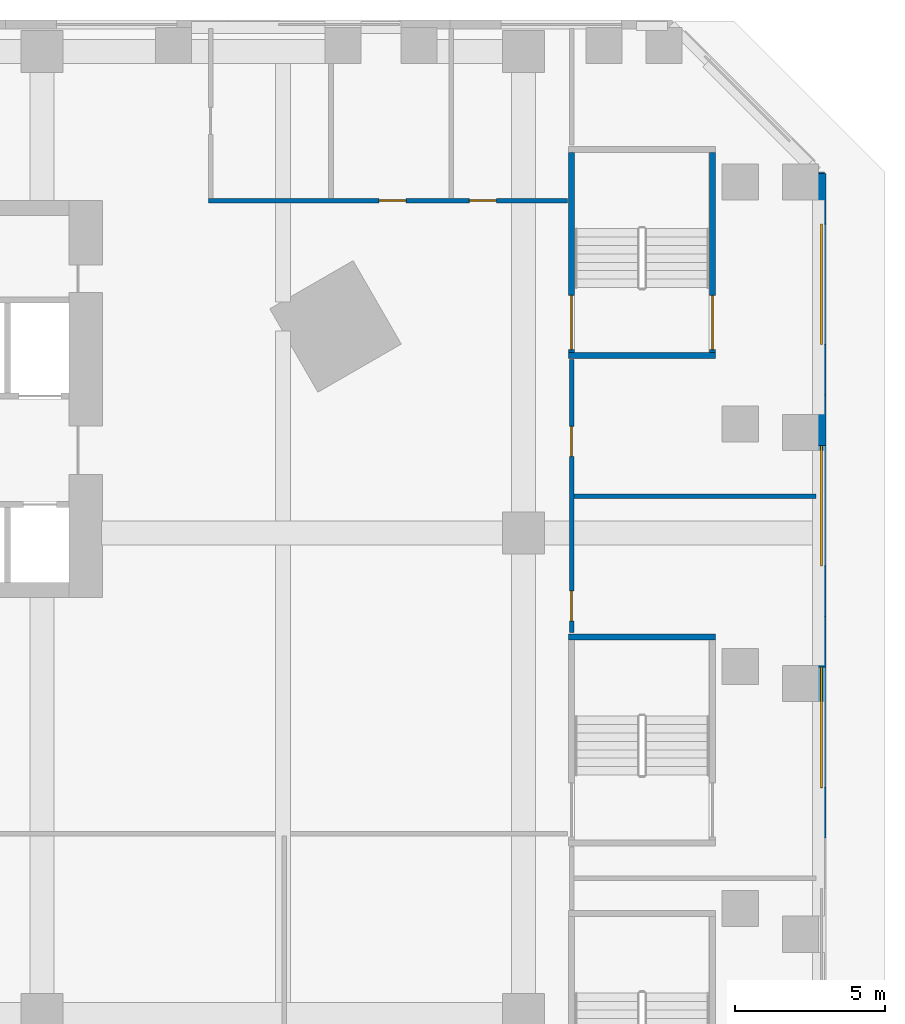
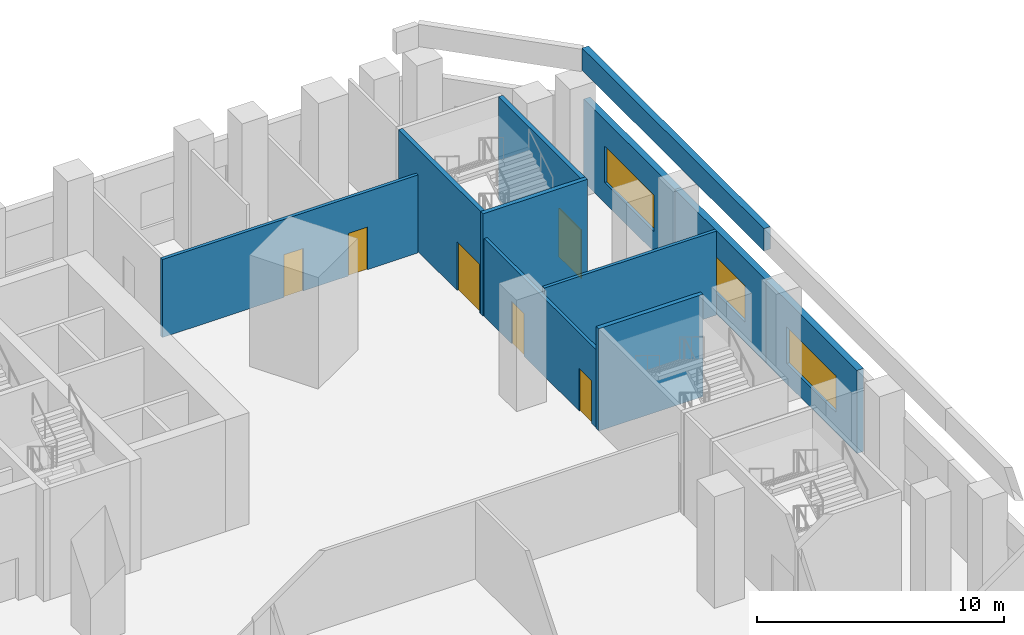
# One storey, part 10 of 22: 11 walls, 6 doors, 3 windows, 9 openings.
"""IFC4 building model written with IfcOpenShell, lengths in metres."""

from ifc_helpers import new_model, si_unit, direction, frame, frame_2d, origin, place, context, subcontext, project, spatial, rectangle, extrude, material, layer, layer_set, type_object, element, fill, save


model = new_model("IFC4")

# Units and contexts
model_context = context("Model", 3, precision=1e-05, world=origin(), true_north=direction((0.0, 1.0)))
body_context = subcontext(model_context, "Body", "Model", "MODEL_VIEW")
ifc_project = project(units=[si_unit("LENGTHUNIT", "METRE"), si_unit("AREAUNIT", "SQUARE_METRE"), si_unit("VOLUMEUNIT", "CUBIC_METRE"), si_unit("PLANEANGLEUNIT", "RADIAN"), si_unit("MASSUNIT", "GRAM", prefix="KILO")], contexts=[model_context])

# Site, building, storey
site_placement = place(None, origin())
site = spatial("IfcSite", under=ifc_project, at=site_placement, CompositionType="ELEMENT")
building_placement = place(site_placement, origin())
building = spatial("IfcBuilding", under=site, at=building_placement, Name="Calabash Gate Tower", CompositionType="ELEMENT")
storey_placement = place(building_placement, frame((0.0, 0.0, 34.5)))
storey = spatial("IfcBuildingStorey", under=building, at=storey_placement, Name="L04", CompositionType="ELEMENT", Elevation=34.5)

# Wall, openings, doors
ifc_material_1 = material(Name="Gypsum board on steel studs, mineral wool", Category="steel")
ifc_layer_1 = layer(ifc_material_1, 0.14990234375)
ifc_layer_set_1 = layer_set([ifc_layer_1], Name="Partition 150 gypsum board")
wall_type_1 = type_object("IfcWallType", Name="Partition 150 gypsum board", PredefinedType="PARTITIONING", material=ifc_layer_set_1)
wall_1_placement = place(storey_placement, frame((33.60009765625, 4.68994140625, 0.0), z_axis=(0.0, 0.0, 1.0), x_axis=(0.0, 1.0, 0.0)))
wall_1 = element("IfcWall", 1, at=wall_1_placement, inside=storey, type_object=wall_type_1, Name="Partition", PredefinedType="PARTITIONING", context=body_context, shape_type="SweptSolid", body=[
    extrude(rectangle(XDim=9.070068359375, YDim=0.14990234375, at=frame_2d((4.53515625, 0.0))), origin(), (0.0, 0.0, 1.0), 3.85009765625),
])
opening_1_placement = place(wall_1_placement, frame((0.385009765625, 0.0, 0.0)))
opening_1 = element("IfcOpeningElement", 2, at=opening_1_placement, cuts=wall_1, Name="Opening L04-066", PredefinedType="OPENING", context=body_context, shape_type="SweptSolid", body=[
    extrude(rectangle(XDim=1.0, YDim=2.10009765625, at=frame_2d((0.5, 1.050048828125))), frame((0.0, 0.0849609375, 0.0), z_axis=(0.0, -1.0, 0.0), x_axis=(1.0, 0.0, 0.0)), (0.0, 0.0, 1.0), 0.169921875),
])
opening_2_placement = place(wall_1_placement, frame((5.85888671875, 0.0, 0.0)))
opening_2 = element("IfcOpeningElement", 3, at=opening_2_placement, cuts=wall_1, Name="Opening L04-067", PredefinedType="OPENING", context=body_context, shape_type="SweptSolid", body=[
    extrude(rectangle(XDim=1.0, YDim=2.10009765625, at=frame_2d((0.5, 1.050048828125))), frame((0.0, 0.0849609375, 0.0), z_axis=(0.0, -1.0, 0.0), x_axis=(1.0, 0.0, 0.0)), (0.0, 0.0, 1.0), 0.169921875),
])
ifc_material_2 = material(Name="Steel fire door set with fire-resisting glazing", Category="steel")
door_type_1 = type_object("IfcDoorType", Name="Fire door D11 1000x2100 FD60", OperationType="NOTDEFINED", PredefinedType="DOOR", material=ifc_material_2)
door_1_placement = place(opening_1_placement, origin())
door_1 = element("IfcDoor", 4, at=door_1_placement, inside=storey, type_object=door_type_1, Name="Secretarial Office door", OperationType="SINGLE_SWING_LEFT", OverallHeight=2.10009765625, OverallWidth=1.0, PredefinedType="DOOR", context=body_context, shape_type="SweptSolid", body=[
    extrude(rectangle(XDim=1.0, YDim=2.10009765625, at=frame_2d((0.5, 1.050048828125))), frame((0.0, 0.02490234375, 0.0), z_axis=(0.0, -1.0, 0.0), x_axis=(1.0, 0.0, 0.0)), (0.0, 0.0, 1.0), 0.050048828125),
])
fill(opening_1, door_1)
door_2_placement = place(opening_2_placement, origin())
door_2 = element("IfcDoor", 5, at=door_2_placement, inside=storey, type_object=door_type_1, Name="Meeting Room 447 door", OperationType="SINGLE_SWING_RIGHT", OverallHeight=2.10009765625, OverallWidth=1.0, PredefinedType="DOOR", context=body_context, shape_type="SweptSolid", body=[
    extrude(rectangle(XDim=1.0, YDim=2.10009765625, at=frame_2d((0.5, 1.050048828125))), frame((0.0, 0.02490234375, 0.0), z_axis=(0.0, -1.0, 0.0), x_axis=(1.0, 0.0, 0.0)), (0.0, 0.0, 1.0), 0.050048828125),
])
fill(opening_2, door_2)

# Wall
wall_2_placement = place(storey_placement, frame((33.675048828125, 9.22509765625, 0.0), z_axis=(0.0, 0.0, 1.0), x_axis=(1.0, 0.0, 0.0)))
element("IfcWall", 6, at=wall_2_placement, inside=storey, type_object=wall_type_1, Name="Partition", PredefinedType="PARTITIONING", context=body_context, shape_type="SweptSolid", body=[
    extrude(rectangle(XDim=8.044921875, YDim=0.14990234375, at=frame_2d((4.0224609375, 0.0))), origin(), (0.0, 0.0, 1.0), 4.14990234375),
])

# Wall, openings, doors
wall_3_placement = place(storey_placement, frame((21.52490234375, 19.050048828125, 0.0), z_axis=(0.0, 0.0, 1.0), x_axis=(1.0, 0.0, 0.0)))
wall_3 = element("IfcWall", 7, at=wall_3_placement, inside=storey, type_object=wall_type_1, Name="Partition", PredefinedType="PARTITIONING", context=body_context, shape_type="SweptSolid", body=[
    extrude(rectangle(XDim=11.93505859375, YDim=0.14990234375, at=frame_2d((5.967529296875, 0.0))), origin(), (0.0, 0.0, 1.0), 3.85009765625),
])
opening_3_placement = place(wall_3_placement, frame((5.675048828125, 0.0, 0.0)))
opening_3 = element("IfcOpeningElement", 8, at=opening_3_placement, cuts=wall_3, Name="Opening L04-044", PredefinedType="OPENING", context=body_context, shape_type="SweptSolid", body=[
    extrude(rectangle(XDim=0.89990234375, YDim=2.10009765625, at=frame_2d((0.449951171875, 1.050048828125))), frame((0.0, 0.0849609375, 0.0), z_axis=(0.0, -1.0, 0.0), x_axis=(1.0, 0.0, 0.0)), (0.0, 0.0, 1.0), 0.169921875),
])
opening_4_placement = place(wall_3_placement, frame((8.675048828125, 0.0, 0.0)))
opening_4 = element("IfcOpeningElement", 9, at=opening_4_placement, cuts=wall_3, Name="Opening L04-045", PredefinedType="OPENING", context=body_context, shape_type="SweptSolid", body=[
    extrude(rectangle(XDim=0.89990234375, YDim=2.10009765625, at=frame_2d((0.449951171875, 1.050048828125))), frame((0.0, 0.0849609375, 0.0), z_axis=(0.0, -1.0, 0.0), x_axis=(1.0, 0.0, 0.0)), (0.0, 0.0, 1.0), 0.169921875),
])
ifc_material_3 = material(Name="Steel fire door set with fire-resisting glazing", Category="steel")
door_type_2 = type_object("IfcDoorType", Name="Fire door D13 900x2100 FD30", OperationType="NOTDEFINED", PredefinedType="DOOR", material=ifc_material_3)
door_3_placement = place(opening_3_placement, origin())
door_3 = element("IfcDoor", 10, at=door_3_placement, inside=storey, type_object=door_type_2, Name="Women's WC door", OperationType="SINGLE_SWING_RIGHT", OverallHeight=2.10009765625, OverallWidth=0.89990234375, PredefinedType="DOOR", context=body_context, shape_type="SweptSolid", body=[
    extrude(rectangle(XDim=0.89990234375, YDim=2.10009765625, at=frame_2d((0.449951171875, 1.050048828125))), frame((0.0, 0.02490234375, 0.0), z_axis=(0.0, -1.0, 0.0), x_axis=(1.0, 0.0, 0.0)), (0.0, 0.0, 1.0), 0.050048828125),
])
fill(opening_3, door_3)
door_4_placement = place(opening_4_placement, origin())
door_4 = element("IfcDoor", 11, at=door_4_placement, inside=storey, type_object=door_type_2, Name="Accessible WC door", OperationType="SINGLE_SWING_RIGHT", OverallHeight=2.10009765625, OverallWidth=0.89990234375, PredefinedType="DOOR", context=body_context, shape_type="SweptSolid", body=[
    extrude(rectangle(XDim=0.89990234375, YDim=2.10009765625, at=frame_2d((0.449951171875, 1.050048828125))), frame((0.0, 0.02490234375, 0.0), z_axis=(0.0, -1.0, 0.0), x_axis=(1.0, 0.0, 0.0)), (0.0, 0.0, 1.0), 0.050048828125),
])
fill(opening_4, door_4)

# Wall, opening, window
ifc_material_4 = material(Name="Terracotta brick masonry, exposed face", Category="masonry")
ifc_layer_2 = layer(ifc_material_4, 0.300048828125)
ifc_layer_set_2 = layer_set([ifc_layer_2], Name="Podium brick wall 300")
wall_type_2 = type_object("IfcWallType", Name="Podium brick wall 300", PredefinedType="SOLIDWALL", material=ifc_layer_set_2)
wall_4_placement = place(storey_placement, frame((41.89990234375, -2.137451171875, 0.0), z_axis=(0.0, 0.0, 1.0), x_axis=(0.0, 1.0, 0.0)))
wall_4 = element("IfcWall", 12, at=wall_4_placement, inside=storey, type_object=wall_type_2, Name="Podium brick wall L04 2.0.5", PredefinedType="SOLIDWALL", context=body_context, shape_type="SweptSolid", body=[
    extrude(rectangle(XDim=7.362548828125, YDim=0.300048828125, at=frame_2d((3.68115234375, 0.0))), origin(), (0.0, 0.0, 1.0), 4.10009765625),
])
opening_5_placement = place(wall_4_placement, frame((1.68115234375, 0.0, 1.0)))
opening_5 = element("IfcOpeningElement", 13, at=opening_5_placement, cuts=wall_4, Name="Opening WM1", PredefinedType="OPENING", context=body_context, shape_type="SweptSolid", body=[
    extrude(rectangle(XDim=4.0, YDim=1.800048828125, at=frame_2d((2.0, 0.89990234375))), frame((0.0, 0.159912109375, 0.0), z_axis=(0.0, -1.0, 0.0), x_axis=(1.0, 0.0, 0.0)), (0.0, 0.0, 1.0), 0.320068359375),
])
ifc_material_5 = material(Name="Anodised aluminium frame, bronze finish, impact-rated laminated clear glazing", Category="aluminium")
window_type = type_object("IfcWindowType", Name="Window WM1 4000x1800", PartitioningType="TRIPLE_PANEL_VERTICAL", PredefinedType="WINDOW", material=ifc_material_5)
window_1_placement = place(opening_5_placement, origin())
window_1 = element("IfcWindow", 14, at=window_1_placement, inside=storey, type_object=window_type, Name="Meeting room window L04 2.0.5", OverallHeight=1.800048828125, OverallWidth=4.0, PartitioningType="SINGLE_PANEL", PredefinedType="WINDOW", context=body_context, shape_type="SweptSolid", body=[
    extrude(rectangle(XDim=4.0, YDim=1.800048828125, at=frame_2d((2.0, 0.89990234375))), frame((0.0, 0.030029296875, 0.0), z_axis=(0.0, -1.0, 0.0), x_axis=(1.0, 0.0, 0.0)), (0.0, 0.0, 1.0), 0.06005859375),
])
fill(opening_5, window_1)

wall_5_placement = place(storey_placement, frame((41.89990234375, 5.22509765625, 0.0), z_axis=(0.0, 0.0, 1.0), x_axis=(0.0, 1.0, 0.0)))
wall_5 = element("IfcWall", 15, at=wall_5_placement, inside=storey, type_object=wall_type_2, Name="Podium brick wall L04 2.0.6", PredefinedType="SOLIDWALL", context=body_context, shape_type="SweptSolid", body=[
    extrude(rectangle(XDim=7.3623046875, YDim=0.300048828125, at=frame_2d((3.68115234375, 0.0))), origin(), (0.0, 0.0, 1.0), 4.10009765625),
])
opening_6_placement = place(wall_5_placement, frame((1.68115234375, 0.0, 1.0)))
opening_6 = element("IfcOpeningElement", 16, at=opening_6_placement, cuts=wall_5, Name="Opening WM1", PredefinedType="OPENING", context=body_context, shape_type="SweptSolid", body=[
    extrude(rectangle(XDim=4.0, YDim=1.800048828125, at=frame_2d((2.0, 0.89990234375))), frame((0.0, 0.159912109375, 0.0), z_axis=(0.0, -1.0, 0.0), x_axis=(1.0, 0.0, 0.0)), (0.0, 0.0, 1.0), 0.320068359375),
])
window_2_placement = place(opening_6_placement, origin())
window_2 = element("IfcWindow", 17, at=window_2_placement, inside=storey, type_object=window_type, Name="Meeting room window L04 2.0.6", OverallHeight=1.800048828125, OverallWidth=4.0, PartitioningType="SINGLE_PANEL", PredefinedType="WINDOW", context=body_context, shape_type="SweptSolid", body=[
    extrude(rectangle(XDim=4.0, YDim=1.800048828125, at=frame_2d((2.0, 0.89990234375))), frame((0.0, 0.030029296875, 0.0), z_axis=(0.0, -1.0, 0.0), x_axis=(1.0, 0.0, 0.0)), (0.0, 0.0, 1.0), 0.06005859375),
])
fill(opening_6, window_2)

wall_6_placement = place(storey_placement, frame((41.89990234375, 12.58740234375, 0.0), z_axis=(0.0, 0.0, 1.0), x_axis=(0.0, 1.0, 0.0)))
wall_6 = element("IfcWall", 18, at=wall_6_placement, inside=storey, type_object=wall_type_2, Name="Podium brick wall L04 2.0.7", PredefinedType="SOLIDWALL", context=body_context, shape_type="SweptSolid", body=[
    extrude(rectangle(XDim=7.362548828125, YDim=0.300048828125, at=frame_2d((3.68115234375, 0.0))), origin(), (0.0, 0.0, 1.0), 4.10009765625),
])
opening_7_placement = place(wall_6_placement, frame((1.68115234375, 0.0, 1.0)))
opening_7 = element("IfcOpeningElement", 19, at=opening_7_placement, cuts=wall_6, Name="Opening WM1", PredefinedType="OPENING", context=body_context, shape_type="SweptSolid", body=[
    extrude(rectangle(XDim=4.0, YDim=1.800048828125, at=frame_2d((2.0, 0.89990234375))), frame((0.0, 0.159912109375, 0.0), z_axis=(0.0, -1.0, 0.0), x_axis=(1.0, 0.0, 0.0)), (0.0, 0.0, 1.0), 0.320068359375),
])
window_3_placement = place(opening_7_placement, origin())
window_3 = element("IfcWindow", 20, at=window_3_placement, inside=storey, type_object=window_type, Name="Meeting room window L04 2.0.7", OverallHeight=1.800048828125, OverallWidth=4.0, PartitioningType="SINGLE_PANEL", PredefinedType="WINDOW", context=body_context, shape_type="SweptSolid", body=[
    extrude(rectangle(XDim=4.0, YDim=1.800048828125, at=frame_2d((2.0, 0.89990234375))), frame((0.0, 0.030029296875, 0.0), z_axis=(0.0, -1.0, 0.0), x_axis=(1.0, 0.0, 0.0)), (0.0, 0.0, 1.0), 0.06005859375),
])
fill(opening_7, window_3)

# Walls
ifc_material_6 = material(Name="Terracotta brick masonry, exposed face", Category="masonry")
ifc_layer_3 = layer(ifc_material_6, 0.300048828125)
ifc_layer_set_3 = layer_set([ifc_layer_3], Name="Podium parapet wall 300")
wall_type_3 = type_object("IfcWallType", Name="Podium parapet wall 300", PredefinedType="PARAPET", material=ifc_layer_set_3)
wall_7_placement = place(storey_placement, frame((41.85009765625, 5.302490234375, 5.5), z_axis=(0.0, 0.0, 1.0), x_axis=(0.0, 1.0, 0.0)))
element("IfcWall", 21, at=wall_7_placement, inside=storey, type_object=wall_type_3, Name="Podium parapet L04 2.0.3", PredefinedType="PARAPET", context=body_context, shape_type="SweptSolid", body=[
    extrude(rectangle(XDim=14.697509765625, YDim=0.300048828125, at=frame_2d((7.3486328125, 0.0))), origin(), (0.0, 0.0, 1.0), 1.10009765625),
])
ifc_material_7 = material(Name="Concrete C40/50", Category="concrete")
ifc_layer_4 = layer(ifc_material_7, 0.199951171875)
ifc_layer_set_4 = layer_set([ifc_layer_4], Name="Stair wall 200 Concrete C40/50")
wall_type_4 = type_object("IfcWallType", Name="Stair wall 200 Concrete C40/50", PredefinedType="SOLIDWALL", material=ifc_layer_set_4)
for number, where, z_axis, x_axis, name in (
    (22, (33.5, 4.550048828125, 0.0), (0.0, 0.0, 1.0), (1.0, 0.0, 0.0), "Stair wall"),
    (23, (33.5, 13.89990234375, 0.0), (0.0, 0.0, 1.0), (1.0, 0.0, 0.0), "Stair wall"),
):
    element("IfcWall", number, at=place(storey_placement, frame(where, z_axis=z_axis, x_axis=x_axis)), inside=storey, type_object=wall_type_4, Name=name, PredefinedType="SOLIDWALL", context=body_context, shape_type="SweptSolid", body=[
        extrude(rectangle(XDim=4.8701171875, YDim=0.199951171875, at=frame_2d((2.43505859375, 0.0))), origin(), (0.0, 0.0, 1.0), 5.050048828125),
    ])

# Wall, opening, door
wall_8_placement = place(storey_placement, frame((33.60009765625, 14.0, 0.0), z_axis=(0.0, 0.0, 1.0), x_axis=(0.0, 1.0, 0.0)))
wall_8 = element("IfcWall", 24, at=wall_8_placement, inside=storey, type_object=wall_type_4, Name="Stair wall", PredefinedType="SOLIDWALL", context=body_context, shape_type="SweptSolid", body=[
    extrude(rectangle(XDim=6.64990234375, YDim=0.199951171875, at=frame_2d((3.324951171875, 0.0))), origin(), (0.0, 0.0, 1.0), 5.050048828125),
])
opening_8_placement = place(wall_8_placement, frame((0.10009765625, 0.0, 0.0)))
opening_8 = element("IfcOpeningElement", 25, at=opening_8_placement, cuts=wall_8, Name="Opening L04-038", PredefinedType="OPENING", context=body_context, shape_type="SweptSolid", body=[
    extrude(rectangle(XDim=1.800048828125, YDim=2.39990234375, at=frame_2d((0.89990234375, 1.199951171875))), frame((0.0, 0.10986328125, 0.0), z_axis=(0.0, -1.0, 0.0), x_axis=(1.0, 0.0, 0.0)), (0.0, 0.0, 1.0), 0.219970703125),
])
ifc_material_8 = material(Name="Steel fire door set with fire-resisting glazing", Category="steel")
door_type_3 = type_object("IfcDoorType", Name="Double fire door D16 1800x2400 FD90", OperationType="DOUBLE_DOOR_SINGLE_SWING", PredefinedType="DOOR", material=ifc_material_8)
door_5_placement = place(opening_8_placement, origin())
door_5 = element("IfcDoor", 26, at=door_5_placement, inside=storey, type_object=door_type_3, Name="Exit stair door PS10", OperationType="DOUBLE_DOOR_SINGLE_SWING", OverallHeight=2.39990234375, OverallWidth=1.800048828125, PredefinedType="DOOR", context=body_context, shape_type="SweptSolid", body=[
    extrude(rectangle(XDim=1.800048828125, YDim=2.39990234375, at=frame_2d((0.89990234375, 1.199951171875))), frame((0.0, 0.02490234375, 0.0), z_axis=(0.0, -1.0, 0.0), x_axis=(1.0, 0.0, 0.0)), (0.0, 0.0, 1.0), 0.050048828125),
])
fill(opening_8, door_5)

wall_9_placement = place(storey_placement, frame((38.27001953125, 14.0, 0.0), z_axis=(0.0, 0.0, 1.0), x_axis=(0.0, 1.0, 0.0)))
wall_9 = element("IfcWall", 27, at=wall_9_placement, inside=storey, type_object=wall_type_4, Name="Stair wall", PredefinedType="SOLIDWALL", context=body_context, shape_type="SweptSolid", body=[
    extrude(rectangle(XDim=6.64990234375, YDim=0.199951171875, at=frame_2d((3.324951171875, 0.0))), origin(), (0.0, 0.0, 1.0), 5.050048828125),
])
opening_9_placement = place(wall_9_placement, frame((0.10009765625, 0.0, 0.0)))
opening_9 = element("IfcOpeningElement", 28, at=opening_9_placement, cuts=wall_9, Name="Opening L04-039", PredefinedType="OPENING", context=body_context, shape_type="SweptSolid", body=[
    extrude(rectangle(XDim=1.800048828125, YDim=2.39990234375, at=frame_2d((0.89990234375, 1.199951171875))), frame((0.0, 0.10986328125, 0.0), z_axis=(0.0, -1.0, 0.0), x_axis=(1.0, 0.0, 0.0)), (0.0, 0.0, 1.0), 0.219970703125),
])
door_6_placement = place(opening_9_placement, origin())
door_6 = element("IfcDoor", 29, at=door_6_placement, inside=storey, type_object=door_type_3, Name="Exit stair door PS10", OperationType="DOUBLE_DOOR_SINGLE_SWING", OverallHeight=2.39990234375, OverallWidth=1.800048828125, PredefinedType="DOOR", context=body_context, shape_type="SweptSolid", body=[
    extrude(rectangle(XDim=1.800048828125, YDim=2.39990234375, at=frame_2d((0.89990234375, 1.199951171875))), frame((0.0, 0.02490234375, 0.0), z_axis=(0.0, -1.0, 0.0), x_axis=(1.0, 0.0, 0.0)), (0.0, 0.0, 1.0), 0.050048828125),
])
fill(opening_9, door_6)

save(model, "model.ifc")
